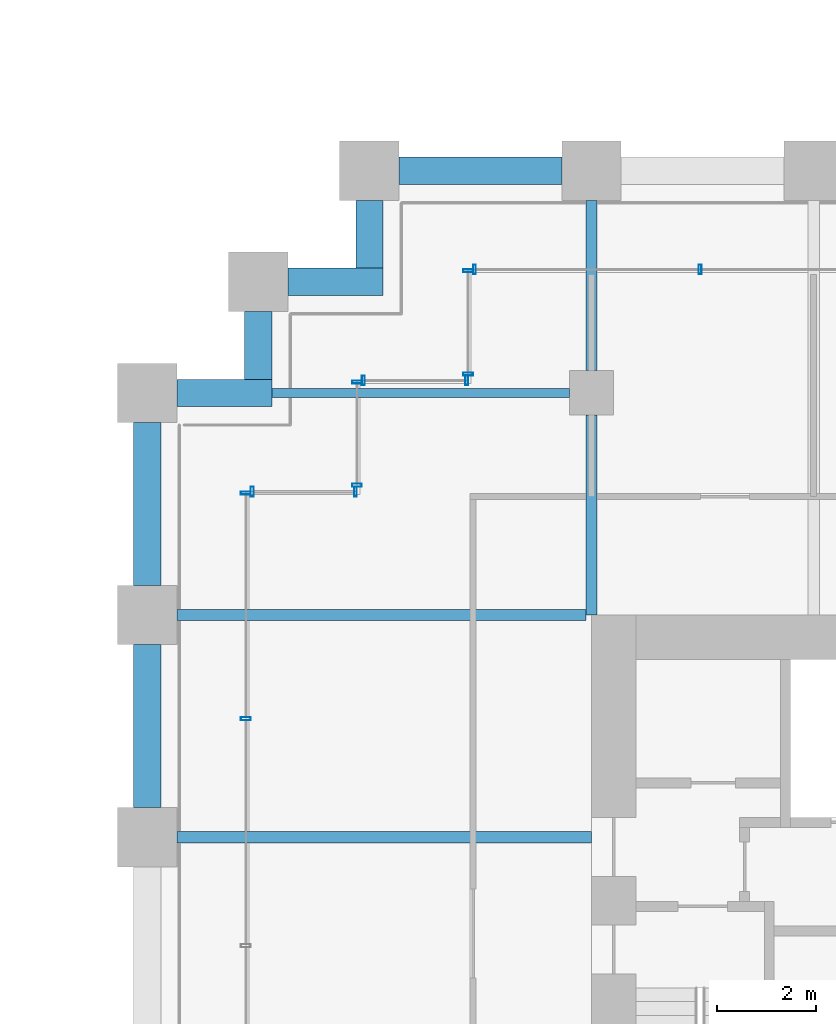
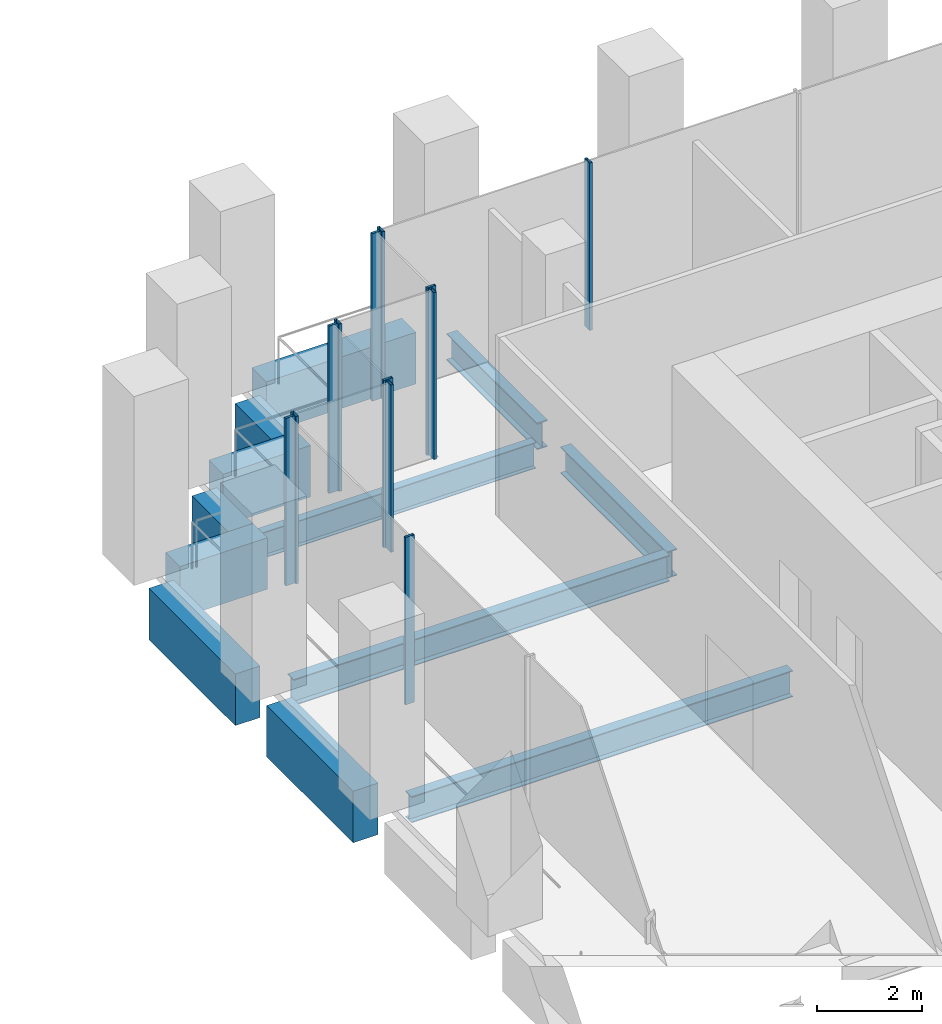
# One storey, part 23 of 36: 12 beams, 12 members, 6 elements without a shape of their own.
"""IFC4 building model written with IfcOpenShell, lengths in metres."""

from ifc_helpers import new_model, si_unit, direction, frame, origin, origin_2d, place, context, subcontext, project, spatial, rectangle, hollow_rectangle, i_section, extrude, material, material_profile, profile_set, type_object, element, aggregate, save


model = new_model("IFC4")

# Units and contexts
model_context = context("Model", 3, precision=1e-05, world=origin(), true_north=direction((0.0, 1.0)))
body_context = subcontext(model_context, "Body", "Model", "MODEL_VIEW")
ifc_project = project(units=[si_unit("LENGTHUNIT", "METRE"), si_unit("AREAUNIT", "SQUARE_METRE"), si_unit("VOLUMEUNIT", "CUBIC_METRE"), si_unit("PLANEANGLEUNIT", "RADIAN"), si_unit("MASSUNIT", "GRAM", prefix="KILO")], contexts=[model_context])

# Site, building, storey
site_placement = place(None, origin())
site = spatial("IfcSite", under=ifc_project, at=site_placement, CompositionType="ELEMENT")
building_placement = place(site_placement, origin())
building = spatial("IfcBuilding", under=site, at=building_placement, Name="Altepetl Exchange Towers", CompositionType="ELEMENT")
storey_placement = place(building_placement, frame((0.0, 0.0, 29.800048828125)))
storey = spatial("IfcBuildingStorey", under=building, at=storey_placement, Name="L06", CompositionType="ELEMENT", Elevation=29.800048828125)

# Beams
ifc_material_1 = material(Name="Steel S355", Category="steel")
ifc_material_profile_1 = material_profile(ifc_material_1, i_section(OverallWidth=0.178955078125, OverallDepth=0.60302734375, WebThickness=0.010986328125, FlangeThickness=0.014892578125, at=origin_2d()), Name="W24X62")
ifc_profile_set_1 = profile_set([ifc_material_profile_1], Name="Steel S355")
beam_type_1 = type_object("IfcBeamType", Name="Floor beam W24X62", PredefinedType="BEAM", material=ifc_profile_set_1)
beam_1_placement = place(storey_placement, frame((97.02490234375, 54.0, -0.4765625), z_axis=(1.0, 0.0, 0.0), x_axis=(0.0, 1.0, 0.0)))
element("IfcBeam", 1, at=beam_1_placement, inside=storey, type_object=beam_type_1, Name="bm:B:L06:015", PredefinedType="BEAM", context=body_context, shape_type="SweptSolid", body=[
    extrude(i_section(OverallWidth=0.178955078125, OverallDepth=0.60302734375, WebThickness=0.010986328125, FlangeThickness=0.014892578125, at=origin_2d()), origin(), (0.0, 0.0, 1.0), 6.025146484375),
])
ifc_material_profile_2 = material_profile(ifc_material_1, i_section(OverallWidth=0.22900390625, OverallDepth=0.612060546875, WebThickness=0.011962890625, FlangeThickness=0.01953125, at=origin_2d()), Name="W24X84")
ifc_profile_set_2 = profile_set([ifc_material_profile_2], Name="Steel S355")
beam_type_2 = type_object("IfcBeamType", Name="Floor beam W24X84", PredefinedType="BEAM", material=ifc_profile_set_2)
beam_2_placement = place(storey_placement, frame((95.10009765625, 45.0, -0.48095703125), z_axis=(1.0, 0.0, 0.0), x_axis=(0.0, 1.0, 0.0)))
element("IfcBeam", 2, at=beam_2_placement, inside=storey, type_object=beam_type_2, Name="bm:B:L06:013", PredefinedType="BEAM", context=body_context, shape_type="SweptSolid", body=[
    extrude(i_section(OverallWidth=0.22900390625, OverallDepth=0.612060546875, WebThickness=0.011962890625, FlangeThickness=0.01953125, at=origin_2d()), origin(), (0.0, 0.0, 1.0), 8.39990234375),
])
beam_3_placement = place(storey_placement, frame((95.10009765625, 49.5, -0.48095703125), z_axis=(1.0, 0.0, 0.0), x_axis=(0.0, 1.0, 0.0)))
element("IfcBeam", 3, at=beam_3_placement, inside=storey, type_object=beam_type_2, Name="bm:B:L06:014", PredefinedType="BEAM", context=body_context, shape_type="SweptSolid", body=[
    extrude(i_section(OverallWidth=0.22900390625, OverallDepth=0.612060546875, WebThickness=0.011962890625, FlangeThickness=0.01953125, at=origin_2d()), origin(), (0.0, 0.0, 1.0), 8.284912109375),
])
ifc_material_profile_3 = material_profile(ifc_material_1, i_section(OverallWidth=0.22900390625, OverallDepth=0.623046875, WebThickness=0.013916015625, FlangeThickness=0.02490234375, at=origin_2d()), Name="W24X103")
ifc_profile_set_3 = profile_set([ifc_material_profile_3], Name="Steel S355")
beam_type_3 = type_object("IfcBeamType", Name="Girder W24X103", PredefinedType="BEAM", material=ifc_profile_set_3)
beam_4_placement = place(storey_placement, frame((103.5, 57.89990234375, -0.486572265625), z_axis=(0.0, -1.0, 0.0), x_axis=(1.0, 0.0, 0.0)))
element("IfcBeam", 4, at=beam_4_placement, inside=storey, type_object=beam_type_3, Name="gd:B:L06:002", PredefinedType="BEAM", context=body_context, shape_type="SweptSolid", body=[
    extrude(i_section(OverallWidth=0.22900390625, OverallDepth=0.623046875, WebThickness=0.013916015625, FlangeThickness=0.02490234375, at=origin_2d()), origin(), (0.0, 0.0, 1.0), 3.449951171875),
])
beam_5_placement = place(storey_placement, frame((103.5, 53.550048828125, -0.486572265625), z_axis=(0.0, -1.0, 0.0), x_axis=(1.0, 0.0, 0.0)))
element("IfcBeam", 5, at=beam_5_placement, inside=storey, type_object=beam_type_3, Name="gd:B:L06:003", PredefinedType="BEAM", context=body_context, shape_type="SweptSolid", body=[
    extrude(i_section(OverallWidth=0.22900390625, OverallDepth=0.623046875, WebThickness=0.013916015625, FlangeThickness=0.02490234375, at=origin_2d()), origin(), (0.0, 0.0, 1.0), 4.050048828125),
])

# Curtain wall, members
ifc_material_2 = material(Name="Aluminium 6063-T6 glazing", Category="aluminium")
curtain_wall_type = type_object("IfcCurtainWallType", Name="Trading floor glazing system", PredefinedType="NOTDEFINED", material=ifc_material_2)
curtain_wall_1_placement = place(storey_placement, origin())
curtain_wall_1 = element("IfcCurtainWall", 6, at=curtain_wall_1_placement, inside=storey, type_object=curtain_wall_type, Name="CW2 run", PredefinedType="NOTDEFINED")
ifc_material_3 = material(Name="Aluminium 6063-T6", Category="aluminium")
ifc_material_profile_4 = material_profile(ifc_material_3, hollow_rectangle(XDim=0.06005859375, YDim=0.199951171875, WallThickness=0.0029296875, at=origin_2d()), Name="Mullion 60x200 aluminium")
ifc_profile_set_4 = profile_set([ifc_material_profile_4], Name="Aluminium 6063-T6")
member_type = type_object("IfcMemberType", Name="Mullion 60x200 aluminium", PredefinedType="MULLION", material=ifc_profile_set_4)
member_1_placement = place(storey_placement, frame((98.719970703125, 52.0, 0.0), z_axis=(0.0, 0.0, 1.0), x_axis=(-1.0, 0.0, 0.0)))
member_1 = element("IfcMember", 7, at=member_1_placement, type_object=member_type, Name="MU2 mullion", PredefinedType="MULLION", context=body_context, shape_type="SweptSolid", body=[
    extrude(hollow_rectangle(XDim=0.06005859375, YDim=0.199951171875, WallThickness=0.0029296875, at=origin_2d()), origin(), (0.0, 0.0, 1.0), 3.89990234375),
])
member_2_placement = place(storey_placement, frame((96.6298828125, 52.0, 0.0), z_axis=(0.0, 0.0, 1.0), x_axis=(-1.0, 0.0, 0.0)))
member_2 = element("IfcMember", 8, at=member_2_placement, type_object=member_type, Name="MU2 mullion", PredefinedType="MULLION", context=body_context, shape_type="SweptSolid", body=[
    extrude(hollow_rectangle(XDim=0.06005859375, YDim=0.199951171875, WallThickness=0.0029296875, at=origin_2d()), origin(), (0.0, 0.0, 1.0), 3.89990234375),
])
aggregate(curtain_wall_1, [member_1, member_2])

curtain_wall_2_placement = place(storey_placement, origin())
curtain_wall_2 = element("IfcCurtainWall", 9, at=curtain_wall_2_placement, inside=storey, type_object=curtain_wall_type, Name="CW2 run", PredefinedType="NOTDEFINED")
member_3_placement = place(storey_placement, frame((96.5, 51.969970703125, 0.0), z_axis=(0.0, 0.0, 1.0), x_axis=(0.0, -1.0, 0.0)))
member_3 = element("IfcMember", 10, at=member_3_placement, type_object=member_type, Name="MU2 mullion", PredefinedType="MULLION", context=body_context, shape_type="SweptSolid", body=[
    extrude(hollow_rectangle(XDim=0.06005859375, YDim=0.199951171875, WallThickness=0.0029296875, at=origin_2d()), origin(), (0.0, 0.0, 1.0), 3.89990234375),
])
member_4_placement = place(storey_placement, frame((96.5, 47.39990234375, 0.0), z_axis=(0.0, 0.0, 1.0), x_axis=(0.0, -1.0, 0.0)))
member_4 = element("IfcMember", 11, at=member_4_placement, type_object=member_type, Name="MU2 mullion", PredefinedType="MULLION", context=body_context, shape_type="SweptSolid", body=[
    extrude(hollow_rectangle(XDim=0.06005859375, YDim=0.199951171875, WallThickness=0.0029296875, at=origin_2d()), origin(), (0.0, 0.0, 1.0), 3.89990234375),
])
aggregate(curtain_wall_2, [member_3, member_4])

curtain_wall_3_placement = place(storey_placement, origin())
curtain_wall_3 = element("IfcCurtainWall", 12, at=curtain_wall_3_placement, inside=storey, type_object=curtain_wall_type, Name="CW2 run", PredefinedType="NOTDEFINED")
member_5_placement = place(storey_placement, frame((105.699951171875, 56.5, 0.0), z_axis=(0.0, 0.0, 1.0), x_axis=(-1.0, 0.0, 0.0)))
member_5 = element("IfcMember", 13, at=member_5_placement, type_object=member_type, Name="MU2 mullion", PredefinedType="MULLION", context=body_context, shape_type="SweptSolid", body=[
    extrude(hollow_rectangle(XDim=0.06005859375, YDim=0.199951171875, WallThickness=0.0029296875, at=origin_2d()), origin(), (0.0, 0.0, 1.0), 3.89990234375),
])
member_6_placement = place(storey_placement, frame((101.1298828125, 56.5, 0.0), z_axis=(0.0, 0.0, 1.0), x_axis=(-1.0, 0.0, 0.0)))
member_6 = element("IfcMember", 14, at=member_6_placement, type_object=member_type, Name="MU2 mullion", PredefinedType="MULLION", context=body_context, shape_type="SweptSolid", body=[
    extrude(hollow_rectangle(XDim=0.06005859375, YDim=0.199951171875, WallThickness=0.0029296875, at=origin_2d()), origin(), (0.0, 0.0, 1.0), 3.89990234375),
])
aggregate(curtain_wall_3, [member_5, member_6])

curtain_wall_4_placement = place(storey_placement, origin())
curtain_wall_4 = element("IfcCurtainWall", 15, at=curtain_wall_4_placement, inside=storey, type_object=curtain_wall_type, Name="CW2 run", PredefinedType="NOTDEFINED")
member_7_placement = place(storey_placement, frame((101.0, 56.469970703125, 0.0), z_axis=(0.0, 0.0, 1.0), x_axis=(0.0, -1.0, 0.0)))
member_7 = element("IfcMember", 16, at=member_7_placement, type_object=member_type, Name="MU2 mullion", PredefinedType="MULLION", context=body_context, shape_type="SweptSolid", body=[
    extrude(hollow_rectangle(XDim=0.06005859375, YDim=0.199951171875, WallThickness=0.0029296875, at=origin_2d()), origin(), (0.0, 0.0, 1.0), 3.89990234375),
])
member_8_placement = place(storey_placement, frame((101.0, 54.3798828125, 0.0), z_axis=(0.0, 0.0, 1.0), x_axis=(0.0, -1.0, 0.0)))
member_8 = element("IfcMember", 17, at=member_8_placement, type_object=member_type, Name="MU2 mullion", PredefinedType="MULLION", context=body_context, shape_type="SweptSolid", body=[
    extrude(hollow_rectangle(XDim=0.06005859375, YDim=0.199951171875, WallThickness=0.0029296875, at=origin_2d()), origin(), (0.0, 0.0, 1.0), 3.89990234375),
])
aggregate(curtain_wall_4, [member_7, member_8])

curtain_wall_5_placement = place(storey_placement, origin())
curtain_wall_5 = element("IfcCurtainWall", 18, at=curtain_wall_5_placement, inside=storey, type_object=curtain_wall_type, Name="CW2 run", PredefinedType="NOTDEFINED")
member_9_placement = place(storey_placement, frame((100.969970703125, 54.25, 0.0), z_axis=(0.0, 0.0, 1.0), x_axis=(-1.0, 0.0, 0.0)))
member_9 = element("IfcMember", 19, at=member_9_placement, type_object=member_type, Name="MU2 mullion", PredefinedType="MULLION", context=body_context, shape_type="SweptSolid", body=[
    extrude(hollow_rectangle(XDim=0.06005859375, YDim=0.199951171875, WallThickness=0.0029296875, at=origin_2d()), origin(), (0.0, 0.0, 1.0), 3.89990234375),
])
member_10_placement = place(storey_placement, frame((98.8798828125, 54.25, 0.0), z_axis=(0.0, 0.0, 1.0), x_axis=(-1.0, 0.0, 0.0)))
member_10 = element("IfcMember", 20, at=member_10_placement, type_object=member_type, Name="MU2 mullion", PredefinedType="MULLION", context=body_context, shape_type="SweptSolid", body=[
    extrude(hollow_rectangle(XDim=0.06005859375, YDim=0.199951171875, WallThickness=0.0029296875, at=origin_2d()), origin(), (0.0, 0.0, 1.0), 3.89990234375),
])
aggregate(curtain_wall_5, [member_9, member_10])

curtain_wall_6_placement = place(storey_placement, origin())
curtain_wall_6 = element("IfcCurtainWall", 21, at=curtain_wall_6_placement, inside=storey, type_object=curtain_wall_type, Name="CW2 run", PredefinedType="NOTDEFINED")
member_11_placement = place(storey_placement, frame((98.75, 54.219970703125, 0.0), z_axis=(0.0, 0.0, 1.0), x_axis=(0.0, -1.0, 0.0)))
member_11 = element("IfcMember", 22, at=member_11_placement, type_object=member_type, Name="MU2 mullion", PredefinedType="MULLION", context=body_context, shape_type="SweptSolid", body=[
    extrude(hollow_rectangle(XDim=0.06005859375, YDim=0.199951171875, WallThickness=0.0029296875, at=origin_2d()), origin(), (0.0, 0.0, 1.0), 3.89990234375),
])
member_12_placement = place(storey_placement, frame((98.75, 52.1298828125, 0.0), z_axis=(0.0, 0.0, 1.0), x_axis=(0.0, -1.0, 0.0)))
member_12 = element("IfcMember", 23, at=member_12_placement, type_object=member_type, Name="MU2 mullion", PredefinedType="MULLION", context=body_context, shape_type="SweptSolid", body=[
    extrude(hollow_rectangle(XDim=0.06005859375, YDim=0.199951171875, WallThickness=0.0029296875, at=origin_2d()), origin(), (0.0, 0.0, 1.0), 3.89990234375),
])
aggregate(curtain_wall_6, [member_11, member_12])

# Beams
ifc_material_4 = material(Name="Concrete C50/60 precast with cantera rosa facing", Category="concrete")
ifc_material_profile_5 = material_profile(ifc_material_4, rectangle(XDim=0.550048828125, YDim=1.199951171875, at=origin_2d()), Name="550 x 1200")
ifc_profile_set_5 = profile_set([ifc_material_profile_5], Name="Concrete C50/60 precast with cantera rosa facing")
beam_type_4 = type_object("IfcBeamType", Name="Spandrel beam 550x1200 cantera rosa", PredefinedType="SPANDREL", material=ifc_profile_set_5)
beam_6_placement = place(storey_placement, frame((102.89990234375, 58.5, -0.775146484375), z_axis=(-1.0, 0.0, 0.0), x_axis=(0.0, -1.0, 0.0)))
element("IfcBeam", 24, at=beam_6_placement, inside=storey, type_object=beam_type_4, Name="sp:B:L06:022", PredefinedType="SPANDREL", context=body_context, shape_type="SweptSolid", body=[
    extrude(rectangle(XDim=0.550048828125, YDim=1.199951171875, at=origin_2d()), origin(), (0.0, 0.0, 1.0), 3.2998046875),
])
beam_7_placement = place(storey_placement, frame((99.0, 57.89990234375, -0.775146484375), z_axis=(0.0, -1.0, 0.0), x_axis=(1.0, 0.0, 0.0)))
element("IfcBeam", 25, at=beam_7_placement, inside=storey, type_object=beam_type_4, Name="sp:B:L06:023", PredefinedType="SPANDREL", context=body_context, shape_type="SweptSolid", body=[
    extrude(rectangle(XDim=0.550048828125, YDim=1.199951171875, at=origin_2d()), origin(), (0.0, 0.0, 1.0), 1.375),
])
beam_8_placement = place(storey_placement, frame((99.27490234375, 56.25, -0.775146484375), z_axis=(-1.0, 0.0, 0.0), x_axis=(0.0, -1.0, 0.0)))
element("IfcBeam", 26, at=beam_8_placement, inside=storey, type_object=beam_type_4, Name="sp:B:L06:024", PredefinedType="SPANDREL", context=body_context, shape_type="SweptSolid", body=[
    extrude(rectangle(XDim=0.550048828125, YDim=1.199951171875, at=origin_2d()), origin(), (0.0, 0.0, 1.0), 1.9248046875),
])
beam_9_placement = place(storey_placement, frame((96.75, 55.64990234375, -0.775146484375), z_axis=(0.0, -1.0, 0.0), x_axis=(1.0, 0.0, 0.0)))
element("IfcBeam", 27, at=beam_9_placement, inside=storey, type_object=beam_type_4, Name="sp:B:L06:025", PredefinedType="SPANDREL", context=body_context, shape_type="SweptSolid", body=[
    extrude(rectangle(XDim=0.550048828125, YDim=1.199951171875, at=origin_2d()), origin(), (0.0, 0.0, 1.0), 1.375),
])
beam_10_placement = place(storey_placement, frame((97.02490234375, 54.0, -0.775146484375), z_axis=(-1.0, 0.0, 0.0), x_axis=(0.0, -1.0, 0.0)))
element("IfcBeam", 28, at=beam_10_placement, inside=storey, type_object=beam_type_4, Name="sp:B:L06:026", PredefinedType="SPANDREL", context=body_context, shape_type="SweptSolid", body=[
    extrude(rectangle(XDim=0.550048828125, YDim=1.199951171875, at=origin_2d()), origin(), (0.0, 0.0, 1.0), 1.9248046875),
])
for number, where, z_axis, x_axis, name in (
    (29, (94.5, 53.39990234375, -0.775146484375), (0.0, -1.0, 0.0), (1.0, 0.0, 0.0), "sp:B:L06:027"),
    (30, (94.5, 48.89990234375, -0.775146484375), (0.0, -1.0, 0.0), (1.0, 0.0, 0.0), "sp:B:L06:028"),
):
    element("IfcBeam", number, at=place(storey_placement, frame(where, z_axis=z_axis, x_axis=x_axis)), inside=storey, type_object=beam_type_4, Name=name, PredefinedType="SPANDREL", context=body_context, shape_type="SweptSolid", body=[
        extrude(rectangle(XDim=0.550048828125, YDim=1.199951171875, at=origin_2d()), origin(), (0.0, 0.0, 1.0), 3.2998046875),
    ])

save(model, "model.ifc")
